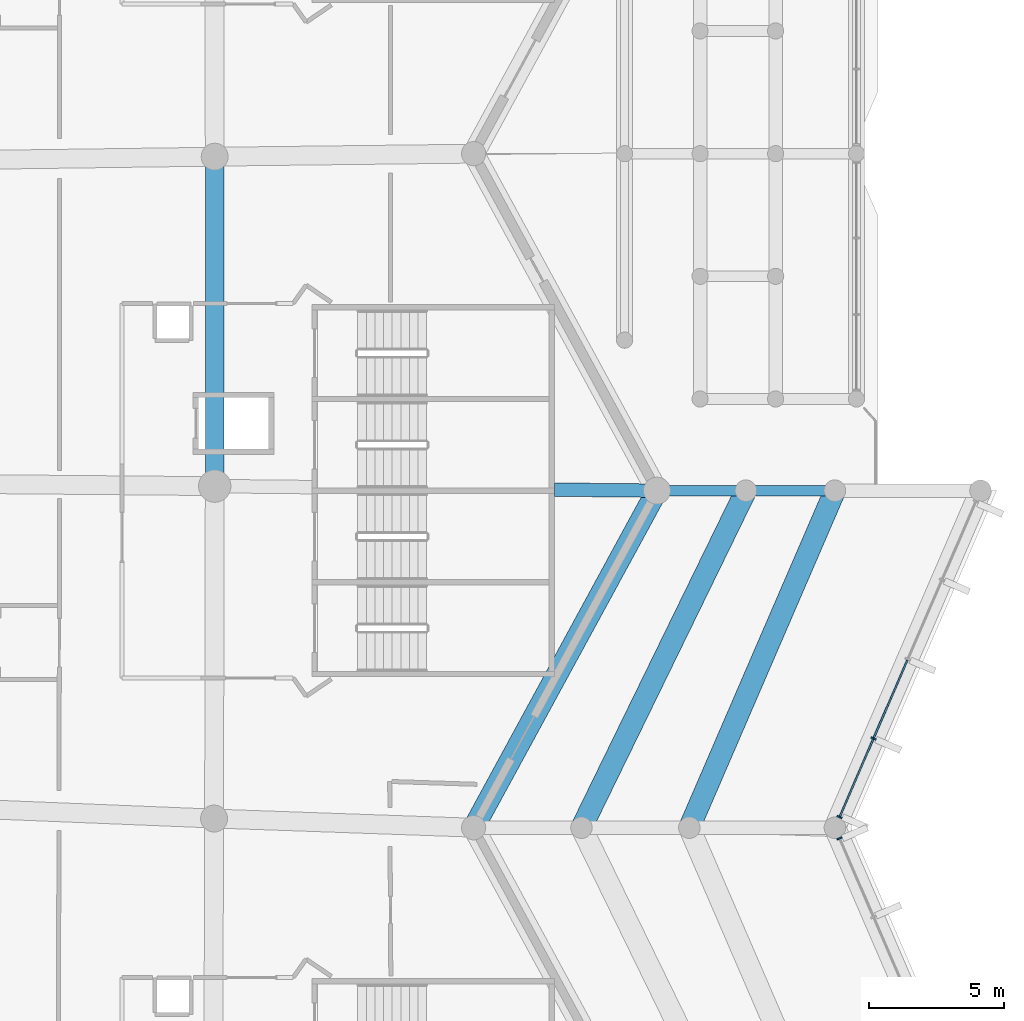
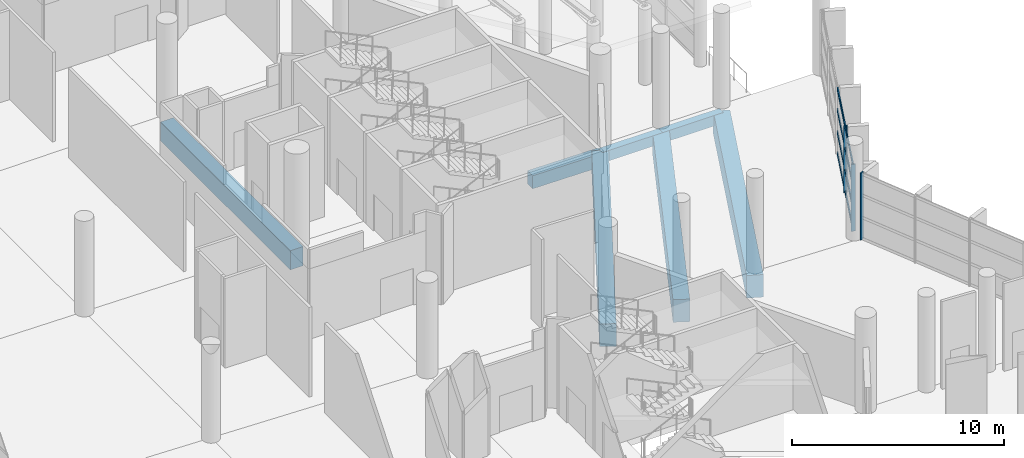
# One storey, part 64 of 271: 11 members, 7 beams, 2 elements without a shape of their own.
"""IFC4 building model written with IfcOpenShell, lengths in metres."""

from ifc_helpers import new_model, si_unit, direction, frame, origin, origin_2d, place, context, subcontext, project, spatial, rectangle, extrude, material, layer, layer_set, material_profile, profile_set, type_object, element, aggregate, save


model = new_model("IFC4")

# Units and contexts
model_context = context("Model", 3, precision=1e-05, world=origin(), true_north=direction((0.0, 1.0)))
body_context = subcontext(model_context, "Body", "Model", "MODEL_VIEW")
ifc_project = project(units=[si_unit("LENGTHUNIT", "METRE"), si_unit("AREAUNIT", "SQUARE_METRE"), si_unit("VOLUMEUNIT", "CUBIC_METRE"), si_unit("PLANEANGLEUNIT", "RADIAN"), si_unit("MASSUNIT", "GRAM", prefix="KILO")], contexts=[model_context])

# Site, building, storey
site_placement = place(None, origin())
site = spatial("IfcSite", under=ifc_project, at=site_placement, CompositionType="ELEMENT")
building_placement = place(site_placement, origin())
building = spatial("IfcBuilding", under=site, at=building_placement, Name="Meseta Stadium", CompositionType="ELEMENT")
storey_placement = place(building_placement, frame((0.0, 0.0, 6.5)))
storey = spatial("IfcBuildingStorey", under=building, at=storey_placement, Name="L01", CompositionType="ELEMENT", Elevation=6.5)

# Beams
ifc_material_1 = material(Name="Concrete C40/50", Category="concrete")
ifc_material_profile_1 = material_profile(ifc_material_1, rectangle(XDim=0.39990234375, YDim=0.60009765625, at=origin_2d()), Name="RC 400x600")
ifc_profile_set_1 = profile_set([ifc_material_profile_1], Name="Concrete C40/50")
beam_type_1 = type_object("IfcBeamType", Name="RC beam 400x600", PredefinedType="BEAM", material=ifc_profile_set_1)
for number, where, z_axis, x_axis, name in (
    (1, (101.39990234375, -6.25, -0.64990234375), (1.0, 0.0, 0.0), (0.0, 1.0, 0.0), "L01 radial beam frame 4 line R to M"),
    (2, (104.699951171875, -6.25, -0.64990234375), (1.0, 0.0, 0.0), (0.0, 1.0, 0.0), "L01 radial beam frame 4 line M to Q"),
):
    element("IfcBeam", number, at=place(storey_placement, frame(where, z_axis=z_axis, x_axis=x_axis)), inside=storey, type_object=beam_type_1, Name=name, PredefinedType="BEAM", context=body_context, shape_type="SweptSolid", body=[
        extrude(rectangle(XDim=0.39990234375, YDim=0.60009765625, at=origin_2d()), origin(), (0.0, 0.0, 1.0), 3.300048828125),
    ])
ifc_material_2 = material(Name="Concrete C40/50", Category="concrete")
ifc_material_profile_2 = material_profile(ifc_material_2, rectangle(XDim=0.5, YDim=0.75, at=origin_2d()), Name="RC 500x750")
ifc_profile_set_2 = profile_set([ifc_material_profile_2], Name="Concrete C40/50")
beam_type_2 = type_object("IfcBeamType", Name="RC beam 500x750", PredefinedType="BEAM", material=ifc_profile_set_2)
beam_1_placement = place(storey_placement, frame((97.60009765625, -6.2109375, -0.72509765625), z_axis=(0.999947163614, -0.010279590477, 0.0), x_axis=(0.010279590477, 0.999947163614, 0.0)))
element("IfcBeam", 3, at=beam_1_placement, inside=storey, type_object=beam_type_2, Name="L01 radial beam frame 4 line P to R", PredefinedType="BEAM", context=body_context, shape_type="SweptSolid", body=[
    extrude(rectangle(XDim=0.5, YDim=0.75, at=origin_2d()), origin(), (0.0, 0.0, 1.0), 3.800048828125),
])
ifc_material_3 = material(Name="Concrete C40/50", Category="concrete")
ifc_material_profile_3 = material_profile(ifc_material_3, rectangle(XDim=0.699951171875, YDim=1.10009765625, at=origin_2d()), Name="RC 700x1100")
ifc_profile_set_3 = profile_set([ifc_material_profile_3], Name="Concrete C40/50")
beam_type_3 = type_object("IfcBeamType", Name="RC beam 700x1100", PredefinedType="BEAM", material=ifc_profile_set_3)
beam_2_placement = place(storey_placement, frame((84.99755859375, -6.081298828125, -0.89990234375), z_axis=(-3.9962435e-05, 0.999999999202, 0.0), x_axis=(-0.999999999202, -3.9962435e-05, 0.0)))
element("IfcBeam", 4, at=beam_2_placement, inside=storey, type_object=beam_type_3, Name="L01 ring beam frame 4 line P", PredefinedType="BEAM", context=body_context, shape_type="SweptSolid", body=[
    extrude(rectangle(XDim=0.699951171875, YDim=1.10009765625, at=origin_2d()), origin(), (0.0, 0.0, 1.0), 12.218505859375),
])
ifc_material_4 = material(Name="Concrete C40/50", Category="concrete")
ifc_material_profile_4 = material_profile(ifc_material_4, rectangle(XDim=0.800048828125, YDim=1.300048828125, at=origin_2d()), Name="RC 800x1300")
ifc_profile_set_4 = profile_set([ifc_material_profile_4], Name="Concrete C40/50")
beam_type_4 = type_object("IfcBeamType", Name="RC beam 800x1300", PredefinedType="BEAM", material=ifc_profile_set_4)
beam_3_placement = place(storey_placement, frame((94.60009765625, -18.75, -1.0), z_axis=(0.47785649891, 0.878437912689, 0.0), x_axis=(-0.878437912689, 0.47785649891, 0.0)))
element("IfcBeam", 5, at=beam_3_placement, inside=storey, type_object=beam_type_4, Name="L01 ring beam frame 3 line R", PredefinedType="BEAM", context=body_context, shape_type="SweptSolid", body=[
    extrude(rectangle(XDim=0.800048828125, YDim=1.300048828125, at=origin_2d()), origin(), (0.0, 0.0, 1.0), 14.229736328125),
])
beam_4_placement = place(storey_placement, frame((98.60009765625, -18.75, -1.0), z_axis=(0.438556770405, 0.898703487882, 0.0), x_axis=(-0.898703487882, 0.438556770405, 0.0)))
element("IfcBeam", 6, at=beam_4_placement, inside=storey, type_object=beam_type_4, Name="L01 ring beam frame 3 line M", PredefinedType="BEAM", context=body_context, shape_type="SweptSolid", body=[
    extrude(rectangle(XDim=0.800048828125, YDim=1.300048828125, at=origin_2d()), origin(), (0.0, 0.0, 1.0), 13.908935546875),
])
beam_5_placement = place(storey_placement, frame((102.60009765625, -18.75, -1.0), z_axis=(0.396570645327, 0.918004206562, 0.0), x_axis=(-0.918004206562, 0.396570645327, 0.0)))
element("IfcBeam", 7, at=beam_5_placement, inside=storey, type_object=beam_type_4, Name="L01 ring beam frame 3 line Q", PredefinedType="BEAM", context=body_context, shape_type="SweptSolid", body=[
    extrude(rectangle(XDim=0.800048828125, YDim=1.300048828125, at=origin_2d()), origin(), (0.0, 0.0, 1.0), 13.616455078125),
])

# Curtain wall, member
ifc_material_5 = material(Name="Aluminium", Category="aluminium")
ifc_layer = layer(ifc_material_5, 0.199951171875)
ifc_layer_set = layer_set([ifc_layer], Name="Ring shopfront curtain wall")
curtain_wall_type = type_object("IfcCurtainWallType", Name="Ring shopfront curtain wall", PredefinedType="NOTDEFINED", material=ifc_layer_set)
curtain_wall_1_placement = place(storey_placement, origin())
curtain_wall_1 = element("IfcCurtainWall", 8, at=curtain_wall_1_placement, inside=storey, type_object=curtain_wall_type, Name="Ring glazing L01 F02", PredefinedType="NOTDEFINED")
ifc_material_6 = material(Name="Aluminium", Category="aluminium")
ifc_material_profile_5 = material_profile(ifc_material_6, rectangle(XDim=0.199951171875, YDim=0.06005859375, at=origin_2d()), Name="CW 200x60")
ifc_profile_set_5 = profile_set([ifc_material_profile_5], Name="Aluminium")
member_type_1 = type_object("IfcMemberType", Name="Ring CW mullion 60x200", PredefinedType="MULLION", material=ifc_profile_set_5)
member_1_placement = place(storey_placement, frame((108.17041015625, -19.144775390625, 0.0), z_axis=(0.0, 0.0, 1.0), x_axis=(-0.91799986854, -0.396580687073, 0.0)))
member_1 = element("IfcMember", 9, at=member_1_placement, type_object=member_type_1, Name="CWR1 mullion 5", PredefinedType="MULLION", context=body_context, shape_type="SweptSolid", body=[
    extrude(rectangle(XDim=0.199951171875, YDim=0.06005859375, at=origin_2d()), origin(), (0.0, 0.0, 1.0), 3.85009765625),
])
aggregate(curtain_wall_1, [member_1])

# Curtain wall, members
curtain_wall_2_placement = place(storey_placement, origin())
curtain_wall_2 = element("IfcCurtainWall", 10, at=curtain_wall_2_placement, inside=storey, type_object=curtain_wall_type, Name="Ring glazing L01 F03", PredefinedType="NOTDEFINED")
member_2_placement = place(storey_placement, frame((108.17041015625, -18.355224609375, 0.0), z_axis=(0.0, 0.0, 1.0), x_axis=(-0.91799986854, 0.396580687073, 0.0)))
member_2 = element("IfcMember", 11, at=member_2_placement, type_object=member_type_1, Name="CWR1 mullion 1", PredefinedType="MULLION", context=body_context, shape_type="SweptSolid", body=[
    extrude(rectangle(XDim=0.199951171875, YDim=0.06005859375, at=origin_2d()), origin(), (0.0, 0.0, 1.0), 3.85009765625),
])
member_3_placement = place(storey_placement, frame((109.42919921875, -15.44140625, 0.0), z_axis=(0.0, 0.0, 1.0), x_axis=(-0.91799986854, 0.396580687073, 0.0)))
member_3 = element("IfcMember", 12, at=member_3_placement, type_object=member_type_1, Name="CWR1 mullion 2", PredefinedType="MULLION", context=body_context, shape_type="SweptSolid", body=[
    extrude(rectangle(XDim=0.199951171875, YDim=0.06005859375, at=origin_2d()), origin(), (0.0, 0.0, 1.0), 3.85009765625),
])
ifc_material_7 = material(Name="Aluminium", Category="aluminium")
ifc_material_profile_6 = material_profile(ifc_material_7, rectangle(XDim=0.06005859375, YDim=0.14990234375, at=origin_2d()), Name="CW 60x150")
ifc_profile_set_6 = profile_set([ifc_material_profile_6], Name="Aluminium")
member_type_2 = type_object("IfcMemberType", Name="Ring CW transom 60x150", PredefinedType="USERDEFINED", material=ifc_profile_set_6)
member_4_placement = place(storey_placement, frame((108.182373046875, -18.32763671875, 0.074951171875), z_axis=(0.396623730244, 0.917981272471, 0.0), x_axis=(-0.917981272471, 0.396623730244, 0.0)))
member_4 = element("IfcMember", 13, at=member_4_placement, type_object=member_type_2, Name="CWR1 transom 1.1", ObjectType="TRANSOM", PredefinedType="USERDEFINED", context=body_context, shape_type="SweptSolid", body=[
    extrude(rectangle(XDim=0.06005859375, YDim=0.14990234375, at=origin_2d()), origin(), (0.0, 0.0, 1.0), 3.114013671875),
])
member_5_placement = place(storey_placement, frame((108.182373046875, -18.32763671875, 1.283447265625), z_axis=(0.396623730244, 0.917981272471, 0.0), x_axis=(-0.917981272471, 0.396623730244, 0.0)))
member_5 = element("IfcMember", 14, at=member_5_placement, type_object=member_type_2, Name="CWR1 transom 1.2", ObjectType="TRANSOM", PredefinedType="USERDEFINED", context=body_context, shape_type="SweptSolid", body=[
    extrude(rectangle(XDim=0.06005859375, YDim=0.14990234375, at=origin_2d()), origin(), (0.0, 0.0, 1.0), 3.114013671875),
])
member_6_placement = place(storey_placement, frame((108.182373046875, -18.32763671875, 2.566650390625), z_axis=(0.396623730244, 0.917981272471, 0.0), x_axis=(-0.917981272471, 0.396623730244, 0.0)))
member_6 = element("IfcMember", 15, at=member_6_placement, type_object=member_type_2, Name="CWR1 transom 1.3", ObjectType="TRANSOM", PredefinedType="USERDEFINED", context=body_context, shape_type="SweptSolid", body=[
    extrude(rectangle(XDim=0.06005859375, YDim=0.14990234375, at=origin_2d()), origin(), (0.0, 0.0, 1.0), 3.114013671875),
])
member_7_placement = place(storey_placement, frame((108.182373046875, -18.32763671875, 3.77490234375), z_axis=(0.396623730244, 0.917981272471, 0.0), x_axis=(-0.917981272471, 0.396623730244, 0.0)))
member_7 = element("IfcMember", 16, at=member_7_placement, type_object=member_type_2, Name="CWR1 transom 1.4", ObjectType="TRANSOM", PredefinedType="USERDEFINED", context=body_context, shape_type="SweptSolid", body=[
    extrude(rectangle(XDim=0.06005859375, YDim=0.14990234375, at=origin_2d()), origin(), (0.0, 0.0, 1.0), 3.114013671875),
])
member_8_placement = place(storey_placement, frame((109.441162109375, -15.413818359375, 0.074951171875), z_axis=(0.396569883564, 0.918004535637, 0.0), x_axis=(-0.918004535637, 0.396569883564, 0.0)))
member_8 = element("IfcMember", 17, at=member_8_placement, type_object=member_type_2, Name="CWR1 transom 2.1", ObjectType="TRANSOM", PredefinedType="USERDEFINED", context=body_context, shape_type="SweptSolid", body=[
    extrude(rectangle(XDim=0.06005859375, YDim=0.14990234375, at=origin_2d()), origin(), (0.0, 0.0, 1.0), 3.14404296875),
])
member_9_placement = place(storey_placement, frame((109.441162109375, -15.413818359375, 1.283447265625), z_axis=(0.396569883564, 0.918004535637, 0.0), x_axis=(-0.918004535637, 0.396569883564, 0.0)))
member_9 = element("IfcMember", 18, at=member_9_placement, type_object=member_type_2, Name="CWR1 transom 2.2", ObjectType="TRANSOM", PredefinedType="USERDEFINED", context=body_context, shape_type="SweptSolid", body=[
    extrude(rectangle(XDim=0.06005859375, YDim=0.14990234375, at=origin_2d()), origin(), (0.0, 0.0, 1.0), 3.14404296875),
])
member_10_placement = place(storey_placement, frame((109.441162109375, -15.413818359375, 2.566650390625), z_axis=(0.396569883564, 0.918004535637, 0.0), x_axis=(-0.918004535637, 0.396569883564, 0.0)))
member_10 = element("IfcMember", 19, at=member_10_placement, type_object=member_type_2, Name="CWR1 transom 2.3", ObjectType="TRANSOM", PredefinedType="USERDEFINED", context=body_context, shape_type="SweptSolid", body=[
    extrude(rectangle(XDim=0.06005859375, YDim=0.14990234375, at=origin_2d()), origin(), (0.0, 0.0, 1.0), 3.14404296875),
])
member_11_placement = place(storey_placement, frame((109.441162109375, -15.413818359375, 3.77490234375), z_axis=(0.396569883564, 0.918004535637, 0.0), x_axis=(-0.918004535637, 0.396569883564, 0.0)))
member_11 = element("IfcMember", 20, at=member_11_placement, type_object=member_type_2, Name="CWR1 transom 2.4", ObjectType="TRANSOM", PredefinedType="USERDEFINED", context=body_context, shape_type="SweptSolid", body=[
    extrude(rectangle(XDim=0.06005859375, YDim=0.14990234375, at=origin_2d()), origin(), (0.0, 0.0, 1.0), 3.14404296875),
])
aggregate(curtain_wall_2, [member_2, member_3, member_4, member_5, member_6, member_7, member_8, member_9, member_10, member_11])

save(model, "model.ifc")
